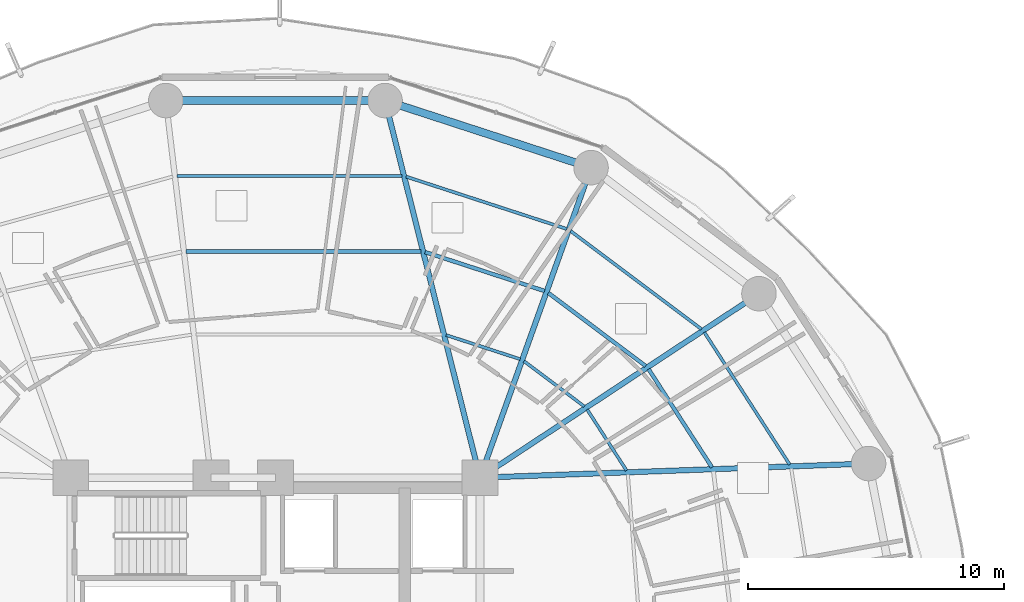
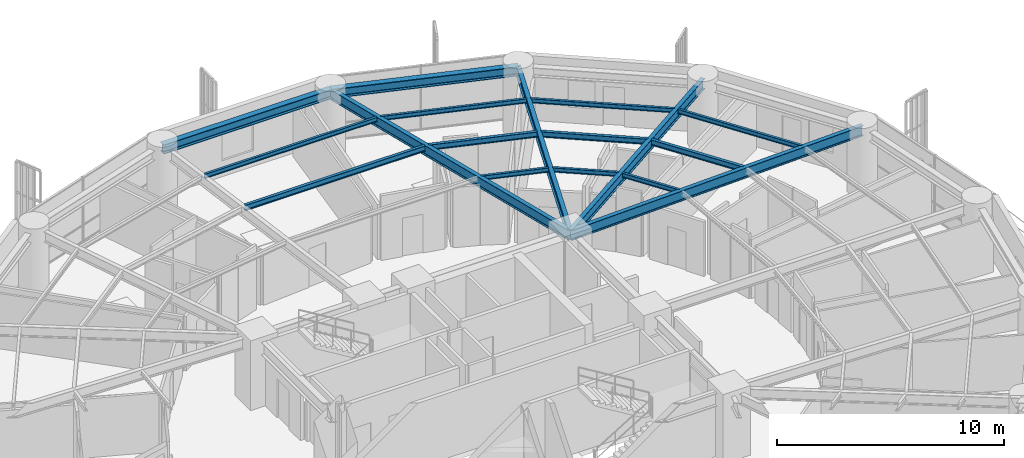
# One storey, part 20 of 33: 17 beams.
"""IFC4 building model written with IfcOpenShell, lengths in metres."""

from ifc_helpers import new_model, si_unit, direction, frame, origin, origin_2d, place, context, subcontext, project, spatial, i_section, extrude, material, material_profile, profile_set, type_object, element, save


model = new_model("IFC4")

# Units and contexts
model_context = context("Model", 3, precision=1e-05, world=origin(), true_north=direction((0.0, 1.0)))
body_context = subcontext(model_context, "Body", "Model", "MODEL_VIEW")
ifc_project = project(units=[si_unit("LENGTHUNIT", "METRE"), si_unit("AREAUNIT", "SQUARE_METRE"), si_unit("VOLUMEUNIT", "CUBIC_METRE"), si_unit("PLANEANGLEUNIT", "RADIAN"), si_unit("MASSUNIT", "GRAM", prefix="KILO")], contexts=[model_context])

# Site, building, storey
site_placement = place(None, origin())
site = spatial("IfcSite", under=ifc_project, at=site_placement, CompositionType="ELEMENT")
building_placement = place(site_placement, origin())
building = spatial("IfcBuilding", under=site, at=building_placement, Name="Kelanora Arch Commons", CompositionType="ELEMENT")
storey_placement = place(building_placement, frame((0.0, 0.0, 83.85009765625)))
storey = spatial("IfcBuildingStorey", under=building, at=storey_placement, Name="L21", CompositionType="ELEMENT", Elevation=83.85009765625)

# Beams
ifc_material = material(Name="Steel S355", Category="steel")
ifc_material_profile_1 = material_profile(ifc_material, i_section(OverallWidth=0.14990234375, OverallDepth=0.300048828125, WebThickness=0.007080078125, FlangeThickness=0.0107421875, FilletRadius=0.014892578125, at=origin_2d()), Name="IPE300")
ifc_profile_set_1 = profile_set([ifc_material_profile_1], Name="Steel S355")
beam_type_1 = type_object("IfcBeamType", Name="BM-JST-01", PredefinedType="JOIST", material=ifc_profile_set_1)
beam_1_placement = place(storey_placement, frame((91.06884765625, 65.402587890625, 3.33984375), z_axis=(-0.542230243286, 0.840229946661, 0.0), x_axis=(-0.840229946661, -0.542230243286, 0.0)))
element("IfcBeam", 1, at=beam_1_placement, inside=storey, type_object=beam_type_1, Name="Secondary Chord Joist BJB-02 L21", PredefinedType="JOIST", context=body_context, shape_type="SweptSolid", body=[
    extrude(i_section(OverallWidth=0.14990234375, OverallDepth=0.300048828125, WebThickness=0.007080078125, FlangeThickness=0.0107421875, FilletRadius=0.014892578125, at=origin_2d()), origin(), (0.0, 0.0, 1.0), 4.572265625),
])
beam_2_placement = place(storey_placement, frame((88.4755859375, 69.36669921875, 3.33984375), z_axis=(-0.79971039107, 0.600385951214, 0.0), x_axis=(-0.600385951214, -0.79971039107, 0.0)))
element("IfcBeam", 2, at=beam_2_placement, inside=storey, type_object=beam_type_1, Name="Secondary Chord Joist BJB-04 L21", PredefinedType="JOIST", context=body_context, shape_type="SweptSolid", body=[
    extrude(i_section(OverallWidth=0.14990234375, OverallDepth=0.300048828125, WebThickness=0.007080078125, FlangeThickness=0.0107421875, FilletRadius=0.014892578125, at=origin_2d()), origin(), (0.0, 0.0, 1.0), 4.756103515625),
])
beam_3_placement = place(storey_placement, frame((84.523193359375, 72.29931640625, 3.33984375), z_axis=(-0.950857140254, 0.309629938521, 0.0), x_axis=(-0.309629938521, -0.950857140254, 0.0)))
element("IfcBeam", 3, at=beam_3_placement, inside=storey, type_object=beam_type_1, Name="Secondary Chord Joist BJB-06 L21", PredefinedType="JOIST", context=body_context, shape_type="SweptSolid", body=[
    extrude(i_section(OverallWidth=0.14990234375, OverallDepth=0.300048828125, WebThickness=0.007080078125, FlangeThickness=0.0107421875, FilletRadius=0.014892578125, at=origin_2d()), origin(), (0.0, 0.0, 1.0), 4.912353515625),
])
beam_4_placement = place(storey_placement, frame((79.686279296875, 73.8466796875, 3.33984375), z_axis=(-1.0, 0.0, 0.0), x_axis=(0.0, -1.0, 0.0)))
element("IfcBeam", 4, at=beam_4_placement, inside=storey, type_object=beam_type_1, Name="Secondary Chord Joist BJB-08 L21", PredefinedType="JOIST", context=body_context, shape_type="SweptSolid", body=[
    extrude(i_section(OverallWidth=0.14990234375, OverallDepth=0.300048828125, WebThickness=0.007080078125, FlangeThickness=0.0107421875, FilletRadius=0.014892578125, at=origin_2d()), origin(), (0.0, 0.0, 1.0), 9.1806640625),
])
ifc_material_profile_2 = material_profile(ifc_material, i_section(OverallWidth=0.1201171875, OverallDepth=0.239990234375, WebThickness=0.006103515625, FlangeThickness=0.009765625, FilletRadius=0.014892578125, at=origin_2d()), Name="IPE240")
ifc_profile_set_2 = profile_set([ifc_material_profile_2], Name="Steel S355")
beam_type_2 = type_object("IfcBeamType", Name="BM-JST-02", PredefinedType="JOIST", material=ifc_profile_set_2)
beam_5_placement = place(storey_placement, frame((87.726806640625, 65.281005859375, 3.369873046875), z_axis=(-0.542211255502, 0.840242199849, 0.0), x_axis=(-0.840242199849, -0.542211255502, 0.0)))
element("IfcBeam", 5, at=beam_5_placement, inside=storey, type_object=beam_type_2, Name="Secondary Chord Joist BJA-02 L21", PredefinedType="JOIST", context=body_context, shape_type="SweptSolid", body=[
    extrude(i_section(OverallWidth=0.1201171875, OverallDepth=0.239990234375, WebThickness=0.006103515625, FlangeThickness=0.009765625, FilletRadius=0.014892578125, at=origin_2d()), origin(), (0.0, 0.0, 1.0), 2.83349609375),
])
beam_6_placement = place(storey_placement, frame((94.107177734375, 65.512939453125, 3.369873046875), z_axis=(-0.542212726273, 0.840241250754, 0.0), x_axis=(-0.840241250754, -0.542212726273, 0.0)))
element("IfcBeam", 6, at=beam_6_placement, inside=storey, type_object=beam_type_2, Name="Secondary Chord Joist BJC-02 L21", PredefinedType="JOIST", context=body_context, shape_type="SweptSolid", body=[
    extrude(i_section(OverallWidth=0.1201171875, OverallDepth=0.239990234375, WebThickness=0.006103515625, FlangeThickness=0.009765625, FilletRadius=0.014892578125, at=origin_2d()), origin(), (0.0, 0.0, 1.0), 6.15283203125),
])
beam_7_placement = place(storey_placement, frame((86.076416015625, 67.7841796875, 3.369873046875), z_axis=(-0.799692034361, 0.600410401458, 0.0), x_axis=(-0.600410401458, -0.799692034361, 0.0)))
element("IfcBeam", 7, at=beam_7_placement, inside=storey, type_object=beam_type_2, Name="Secondary Chord Joist BJA-04 L21", PredefinedType="JOIST", context=body_context, shape_type="SweptSolid", body=[
    extrude(i_section(OverallWidth=0.1201171875, OverallDepth=0.239990234375, WebThickness=0.006103515625, FlangeThickness=0.009765625, FilletRadius=0.014892578125, at=origin_2d()), origin(), (0.0, 0.0, 1.0), 2.949951171875),
])
beam_8_placement = place(storey_placement, frame((90.65673828125, 70.805419921875, 3.369873046875), z_axis=(-0.799734335646, 0.600354055861, 0.0), x_axis=(-0.600354055861, -0.799734335646, 0.0)))
element("IfcBeam", 8, at=beam_8_placement, inside=storey, type_object=beam_type_2, Name="Secondary Chord Joist BJC-04 L21", PredefinedType="JOIST", context=body_context, shape_type="SweptSolid", body=[
    extrude(i_section(OverallWidth=0.1201171875, OverallDepth=0.239990234375, WebThickness=0.006103515625, FlangeThickness=0.009765625, FilletRadius=0.014892578125, at=origin_2d()), origin(), (0.0, 0.0, 1.0), 6.39794921875),
])
beam_9_placement = place(storey_placement, frame((83.568359375, 69.632568359375, 3.369873046875), z_axis=(-0.950846758946, 0.309661817151, 0.0), x_axis=(-0.309661817151, -0.950846758946, 0.0)))
element("IfcBeam", 9, at=beam_9_placement, inside=storey, type_object=beam_type_2, Name="Secondary Chord Joist BJA-06 L21", PredefinedType="JOIST", context=body_context, shape_type="SweptSolid", body=[
    extrude(i_section(OverallWidth=0.1201171875, OverallDepth=0.239990234375, WebThickness=0.006103515625, FlangeThickness=0.009765625, FilletRadius=0.014892578125, at=origin_2d()), origin(), (0.0, 0.0, 1.0), 3.048828125),
])
beam_10_placement = place(storey_placement, frame((85.39111328125, 74.723876953125, 3.369873046875), z_axis=(-0.950862829272, 0.309612467301, 0.0), x_axis=(-0.309612467301, -0.950862829272, 0.0)))
element("IfcBeam", 10, at=beam_10_placement, inside=storey, type_object=beam_type_2, Name="Secondary Chord Joist BJC-06 L21", PredefinedType="JOIST", context=body_context, shape_type="SweptSolid", body=[
    extrude(i_section(OverallWidth=0.1201171875, OverallDepth=0.239990234375, WebThickness=0.006103515625, FlangeThickness=0.009765625, FilletRadius=0.014892578125, at=origin_2d()), origin(), (0.0, 0.0, 1.0), 6.6064453125),
])
beam_11_placement = place(storey_placement, frame((78.943603515625, 76.795654296875, 3.369873046875), z_axis=(-1.0, 0.0, 0.0), x_axis=(0.0, -1.0, 0.0)))
element("IfcBeam", 11, at=beam_11_placement, inside=storey, type_object=beam_type_2, Name="Secondary Chord Joist BJC-08 L21", PredefinedType="JOIST", context=body_context, shape_type="SweptSolid", body=[
    extrude(i_section(OverallWidth=0.1201171875, OverallDepth=0.239990234375, WebThickness=0.006103515625, FlangeThickness=0.009765625, FilletRadius=0.014892578125, at=origin_2d()), origin(), (0.0, 0.0, 1.0), 8.791015625),
])
ifc_material_profile_3 = material_profile(ifc_material, i_section(OverallWidth=0.2099609375, OverallDepth=0.550048828125, WebThickness=0.010986328125, FlangeThickness=0.01708984375, FilletRadius=0.02392578125, at=origin_2d()), Name="IPE550")
ifc_profile_set_3 = profile_set([ifc_material_profile_3], Name="Steel S355")
beam_type_3 = type_object("IfcBeamType", Name="BM-RAD-Z2", PredefinedType="BEAM", material=ifc_profile_set_3)
beam_12_placement = place(storey_placement, frame((82.0, 65.0, 3.21484375), z_axis=(0.999341087625, 0.036295875581, 0.0), x_axis=(-0.036295875581, 0.999341087625, 0.0)))
element("IfcBeam", 12, at=beam_12_placement, inside=storey, type_object=beam_type_3, Name="Radial Floor Girder BR-02 L21", PredefinedType="BEAM", context=body_context, shape_type="SweptSolid", body=[
    extrude(i_section(OverallWidth=0.2099609375, OverallDepth=0.550048828125, WebThickness=0.010986328125, FlangeThickness=0.01708984375, FilletRadius=0.02392578125, at=origin_2d()), origin(), (0.0, 0.0, 1.0), 15.20166015625),
])
beam_13_placement = place(storey_placement, frame((82.0, 65.0, 3.21484375), z_axis=(0.834788577908, 0.550570640512, 0.0), x_axis=(-0.550570640512, 0.834788577908, 0.0)))
element("IfcBeam", 13, at=beam_13_placement, inside=storey, type_object=beam_type_3, Name="Radial Floor Girder BR-04 L21", PredefinedType="BEAM", context=body_context, shape_type="SweptSolid", body=[
    extrude(i_section(OverallWidth=0.2099609375, OverallDepth=0.550048828125, WebThickness=0.010986328125, FlangeThickness=0.01708984375, FilletRadius=0.02392578125, at=origin_2d()), origin(), (0.0, 0.0, 1.0), 13.064453125),
])
beam_14_placement = place(storey_placement, frame((82.0, 65.0, 3.21484375), z_axis=(0.337084640008, 0.941474346687, 0.0), x_axis=(-0.941474346687, 0.337084640008, 0.0)))
element("IfcBeam", 14, at=beam_14_placement, inside=storey, type_object=beam_type_3, Name="Radial Floor Girder BR-06 L21", PredefinedType="BEAM", context=body_context, shape_type="SweptSolid", body=[
    extrude(i_section(OverallWidth=0.2099609375, OverallDepth=0.550048828125, WebThickness=0.010986328125, FlangeThickness=0.01708984375, FilletRadius=0.02392578125, at=origin_2d()), origin(), (0.0, 0.0, 1.0), 12.875244140625),
])
beam_15_placement = place(storey_placement, frame((82.0, 65.0, 3.21484375), z_axis=(-0.244280647475, 0.969704576286, 0.0), x_axis=(-0.969704576286, -0.244280647475, 0.0)))
element("IfcBeam", 15, at=beam_15_placement, inside=storey, type_object=beam_type_3, Name="Radial Floor Girder BR-08 L21", PredefinedType="BEAM", context=body_context, shape_type="SweptSolid", body=[
    extrude(i_section(OverallWidth=0.2099609375, OverallDepth=0.550048828125, WebThickness=0.010986328125, FlangeThickness=0.01708984375, FilletRadius=0.02392578125, at=origin_2d()), origin(), (0.0, 0.0, 1.0), 15.205322265625),
])
ifc_material_profile_4 = material_profile(ifc_material, i_section(OverallWidth=0.300048828125, OverallDepth=0.5, WebThickness=0.014404296875, FlangeThickness=0.028076171875, FilletRadius=0.027099609375, at=origin_2d()), Name="HEB500")
ifc_profile_set_4 = profile_set([ifc_material_profile_4], Name="Steel S355")
beam_type_4 = type_object("IfcBeamType", Name="BM-SPN-Z2", PredefinedType="SPANDREL", material=ifc_profile_set_4)
beam_16_placement = place(storey_placement, frame((86.340087890625, 77.121826171875, 3.239990234375), z_axis=(-0.950856631974, 0.309631499418, 0.0), x_axis=(-0.309631499418, -0.950856631974, 0.0)))
element("IfcBeam", 16, at=beam_16_placement, inside=storey, type_object=beam_type_4, Name="Perimeter Spandrel Beam BS-06 L21", PredefinedType="SPANDREL", context=body_context, shape_type="SweptSolid", body=[
    extrude(i_section(OverallWidth=0.300048828125, OverallDepth=0.5, WebThickness=0.014404296875, FlangeThickness=0.028076171875, FilletRadius=0.027099609375, at=origin_2d()), origin(), (0.0, 0.0, 1.0), 8.470703125),
])
beam_17_placement = place(storey_placement, frame((78.28564453125, 79.74462890625, 3.239990234375), z_axis=(-1.0, 0.0, 0.0), x_axis=(0.0, -1.0, 0.0)))
element("IfcBeam", 17, at=beam_17_placement, inside=storey, type_object=beam_type_4, Name="Perimeter Spandrel Beam BS-08 L21", PredefinedType="SPANDREL", context=body_context, shape_type="SweptSolid", body=[
    extrude(i_section(OverallWidth=0.300048828125, OverallDepth=0.5, WebThickness=0.014404296875, FlangeThickness=0.028076171875, FilletRadius=0.027099609375, at=origin_2d()), origin(), (0.0, 0.0, 1.0), 8.5712890625),
])

save(model, "model.ifc")
